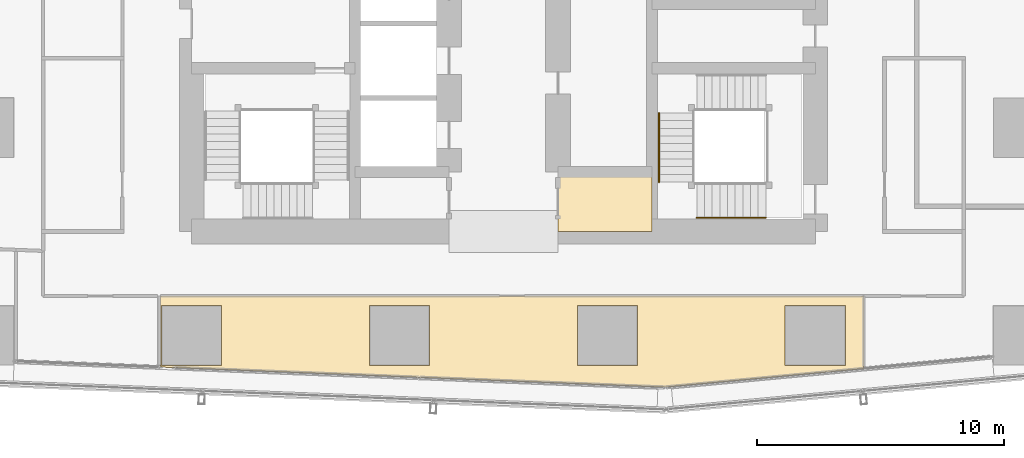
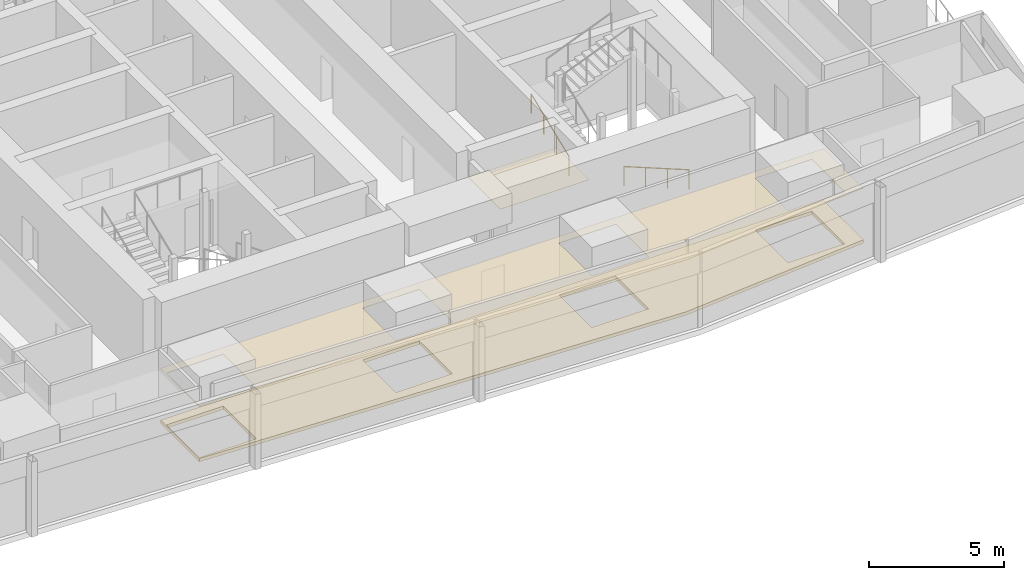
# One storey, part 31 of 34: 3 coverings, 2 railings.
"""IFC4 building model written with IfcOpenShell, lengths in metres."""

from ifc_helpers import new_model, si_unit, direction, frame, origin, origin_2d, place, context, subcontext, project, spatial, polyline, circle, outline, extrude, material, layer, layer_set, type_object, element, save


model = new_model("IFC4")

# Units and contexts
model_context = context("Model", 3, precision=1e-05, world=origin(), true_north=direction((0.0, 1.0)))
body_context = subcontext(model_context, "Body", "Model", "MODEL_VIEW")
ifc_project = project(units=[si_unit("LENGTHUNIT", "METRE"), si_unit("AREAUNIT", "SQUARE_METRE"), si_unit("VOLUMEUNIT", "CUBIC_METRE"), si_unit("PLANEANGLEUNIT", "RADIAN"), si_unit("MASSUNIT", "GRAM", prefix="KILO")], contexts=[model_context])

# Site, building, storey
site_placement = place(None, origin())
site = spatial("IfcSite", under=ifc_project, at=site_placement, CompositionType="ELEMENT")
building_placement = place(site_placement, origin())
building = spatial("IfcBuilding", under=site, at=building_placement, Name="Rekha Terrace Tower", CompositionType="ELEMENT")
storey_placement = place(building_placement, frame((0.0, 0.0, 236.449951171875)))
storey = spatial("IfcBuildingStorey", under=building, at=storey_placement, Name="L60", CompositionType="ELEMENT", Elevation=236.449951171875)

# Coverings
ifc_material_1 = material(Name="Mineral fibre tile in exposed grid", Category="finish")
ifc_layer_1 = layer(ifc_material_1, 0.02001953125)
ifc_layer_set_1 = layer_set([ifc_layer_1], Name="Mineral fibre tile in exposed grid")
covering_type_1 = type_object("IfcCoveringType", Name="CL1 600x1200 office grid ceiling", PredefinedType="CEILING", material=ifc_layer_set_1)
covering_1_placement = place(storey_placement, frame((0.0, 0.0, 2.47998046875)))
element("IfcCovering", 1, at=covering_1_placement, inside=storey, type_object=covering_type_1, Name="Ceiling L60-02", PredefinedType="CEILING", context=body_context, shape_type="SweptSolid", body=[
    extrude(outline(polyline([(52.344970703125, 18.39990234375), (23.944091796875, 18.39990234375), (23.944091796875, 15.52490234375), (35.197998046875, 15.075927734375), (43.345947265625, 14.7509765625), (44.31201171875, 14.7119140625), (52.344970703125, 15.4599609375), (52.344970703125, 18.39990234375)]), holes=[polyline([(51.614990234375, 15.5849609375), (49.18505859375, 15.5849609375), (49.18505859375, 18.014892578125), (51.614990234375, 18.014892578125), (51.614990234375, 15.5849609375)]), polyline([(43.215087890625, 18.014892578125), (43.215087890625, 15.5849609375), (40.784912109375, 15.5849609375), (40.784912109375, 18.014892578125), (43.215087890625, 18.014892578125)]), polyline([(34.81494140625, 15.5849609375), (32.385009765625, 15.5849609375), (32.385009765625, 18.014892578125), (34.81494140625, 18.014892578125), (34.81494140625, 15.5849609375)]), polyline([(26.4150390625, 18.014892578125), (26.4150390625, 15.5849609375), (23.985107421875, 15.5849609375), (23.985107421875, 18.014892578125), (26.4150390625, 18.014892578125)])]), origin(), (0.0, 0.0, 1.0), 0.02001953125),
])
ifc_material_2 = material(Name="Fibre cement board", Category="finish")
ifc_layer_2 = layer(ifc_material_2, 0.014892578125)
ifc_layer_set_2 = layer_set([ifc_layer_2], Name="Fibre cement board")
covering_type_2 = type_object("IfcCoveringType", Name="CL2 moisture-resistant board ceiling", PredefinedType="CEILING", material=ifc_layer_set_2)
covering_2_placement = place(storey_placement, frame((0.0, 0.0, 2.485107421875)))
element("IfcCovering", 2, at=covering_2_placement, inside=storey, type_object=covering_type_2, Name="Ceiling L60-WCA", PredefinedType="CEILING", context=body_context, shape_type="SweptSolid", body=[
    extrude(outline(polyline([(43.800048828125, 23.39990234375), (40.0, 23.39990234375), (40.0, 21.0), (43.800048828125, 21.0), (43.800048828125, 23.39990234375)])), origin(), (0.0, 0.0, 1.0), 0.014892578125),
])

# Railings
ifc_material_3 = material(Name="Stainless steel tube", Category="steel")
railing_type = type_object("IfcRailingType", Name="HR1 900 stair handrail", PredefinedType="HANDRAIL", material=ifc_material_3)
railing_1_placement = place(storey_placement, frame((48.39990234375, 21.56005859375, 0.125)))
element("IfcRailing", 3, at=railing_1_placement, inside=storey, type_object=railing_type, Name="Handrail ST3 L60 flight 1", PredefinedType="HANDRAIL", context=body_context, shape_type="SweptSolid", body=[
    extrude(circle(Radius=0.02392578125, at=origin_2d()), frame((0.0, 0.0, 0.8759765625), z_axis=(-0.927431937212, 0.0, 0.373991980981), x_axis=(0.0, -1.0, 0.0)), (0.0, 0.0, 1.0), 3.008056640625),
    extrude(circle(Radius=0.02099609375, at=origin_2d()), origin(), (0.0, 0.0, 1.0), 0.851806640625),
    extrude(circle(Radius=0.02099609375, at=origin_2d()), frame((-0.929931640625, 0.0, 0.375)), (0.0, 0.0, 1.0), 0.851806640625),
    extrude(circle(Radius=0.02099609375, at=origin_2d()), frame((-1.85986328125, 0.0, 0.75)), (0.0, 0.0, 1.0), 0.851806640625),
    extrude(circle(Radius=0.02099609375, at=origin_2d()), frame((-2.789794921875, 0.0, 1.125)), (0.0, 0.0, 1.0), 0.851806640625),
])
railing_2_placement = place(storey_placement, frame((44.0849609375, 23.0, 1.375)))
element("IfcRailing", 4, at=railing_2_placement, inside=storey, type_object=railing_type, Name="Handrail ST3 L60 flight 2", PredefinedType="HANDRAIL", context=body_context, shape_type="SweptSolid", body=[
    extrude(circle(Radius=0.02392578125, at=origin_2d()), frame((0.0, 0.0, 0.8759765625), z_axis=(0.0, 0.927443287984, 0.373963831907), x_axis=(-1.0, 0.0, 0.0)), (0.0, 0.0, 1.0), 3.00830078125),
    extrude(circle(Radius=0.02099609375, at=origin_2d()), origin(), (0.0, 0.0, 1.0), 0.851806640625),
    extrude(circle(Radius=0.02099609375, at=origin_2d()), frame((0.0, 0.929931640625, 0.375)), (0.0, 0.0, 1.0), 0.851806640625),
    extrude(circle(Radius=0.02099609375, at=origin_2d()), frame((0.0, 1.860107421875, 0.75)), (0.0, 0.0, 1.0), 0.851806640625),
    extrude(circle(Radius=0.02099609375, at=origin_2d()), frame((0.0, 2.7900390625, 1.125)), (0.0, 0.0, 1.0), 0.851806640625),
])

# Covering
ifc_material_4 = material(Name="Calcium sulphate panels on steel pedestals", Category="steel")
ifc_layer_3 = layer(ifc_material_4, 0.14990234375)
ifc_layer_set_3 = layer_set([ifc_layer_3], Name="Calcium sulphate panels on steel pedestals")
covering_type_3 = type_object("IfcCoveringType", Name="RF1 150 raised access floor", PredefinedType="FLOORING", material=ifc_layer_set_3)
covering_3_placement = place(storey_placement, origin())
element("IfcCovering", 5, at=covering_3_placement, inside=storey, type_object=covering_type_3, Name="Raised floor L60-02", PredefinedType="FLOORING", context=body_context, shape_type="SweptSolid", body=[
    extrude(outline(polyline([(52.344970703125, 18.39990234375), (23.944091796875, 18.39990234375), (23.944091796875, 15.52490234375), (35.197998046875, 15.075927734375), (43.345947265625, 14.7509765625), (44.31201171875, 14.7119140625), (52.344970703125, 15.4599609375), (52.344970703125, 18.39990234375)]), holes=[polyline([(51.614990234375, 15.5849609375), (49.18505859375, 15.5849609375), (49.18505859375, 18.014892578125), (51.614990234375, 18.014892578125), (51.614990234375, 15.5849609375)]), polyline([(43.215087890625, 18.014892578125), (43.215087890625, 15.5849609375), (40.784912109375, 15.5849609375), (40.784912109375, 18.014892578125), (43.215087890625, 18.014892578125)]), polyline([(34.81494140625, 15.5849609375), (32.385009765625, 15.5849609375), (32.385009765625, 18.014892578125), (34.81494140625, 18.014892578125), (34.81494140625, 15.5849609375)]), polyline([(26.4150390625, 18.014892578125), (26.4150390625, 15.5849609375), (23.985107421875, 15.5849609375), (23.985107421875, 18.014892578125), (26.4150390625, 18.014892578125)])]), origin(), (0.0, 0.0, 1.0), 0.150146484375),
])

save(model, "model.ifc")
